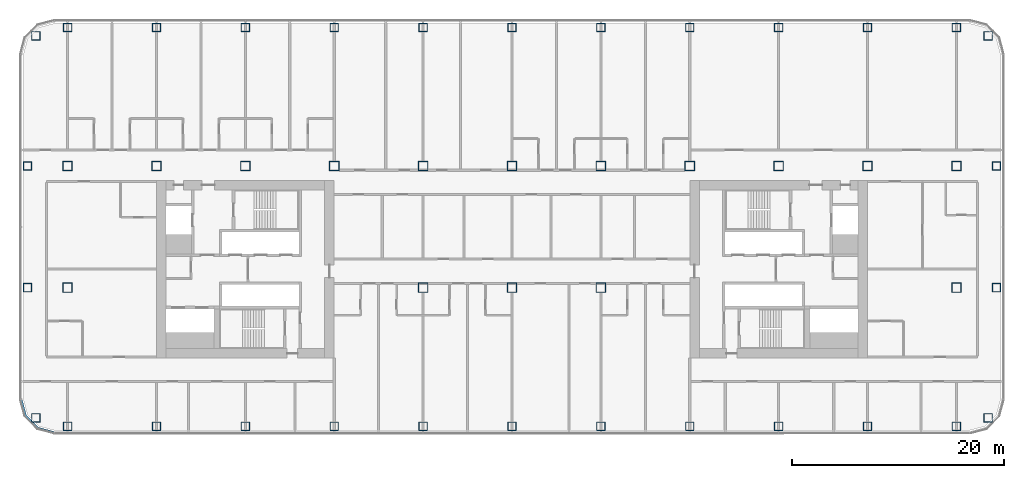
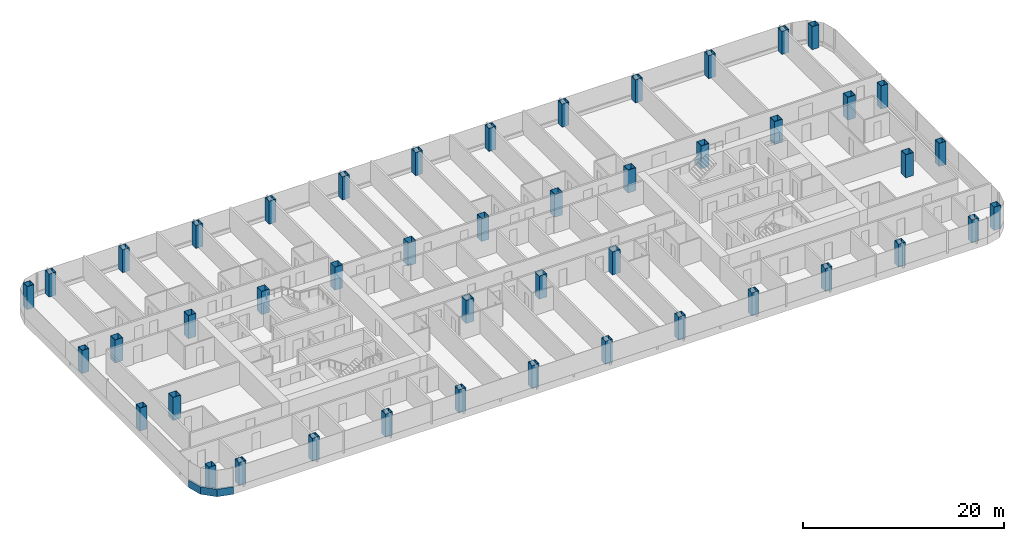
# One storey, part 1 of 29: 46 columns, 1 member, 1 element without a shape of its own.
"""IFC4 building model written with IfcOpenShell, lengths in metres."""

from ifc_helpers import new_model, si_unit, direction, frame, origin, origin_2d, place, context, subcontext, project, spatial, polyline, rectangle, hollow_rectangle, outline, extrude, material, layer, layer_set, material_profile, profile_set, type_object, element, aggregate, save


model = new_model("IFC4")

# Units and contexts
model_context = context("Model", 3, precision=1e-05, world=origin(), true_north=direction((0.0, 1.0)))
body_context = subcontext(model_context, "Body", "Model", "MODEL_VIEW")
ifc_project = project(units=[si_unit("LENGTHUNIT", "METRE"), si_unit("AREAUNIT", "SQUARE_METRE"), si_unit("VOLUMEUNIT", "CUBIC_METRE"), si_unit("PLANEANGLEUNIT", "RADIAN"), si_unit("MASSUNIT", "GRAM", prefix="KILO")], contexts=[model_context])

# Site, building, storey
site_placement = place(None, origin())
site = spatial("IfcSite", under=ifc_project, at=site_placement, CompositionType="ELEMENT")
building_placement = place(site_placement, origin())
building = spatial("IfcBuilding", under=site, at=building_placement, Name="Hakoniwa Tower and Hamabe Station Hall", CompositionType="ELEMENT")
storey_placement = place(building_placement, frame((0.0, 0.0, 110.60009765625)))
storey = spatial("IfcBuildingStorey", under=building, at=storey_placement, Name="L31", CompositionType="ELEMENT", Elevation=110.60009765625)

# Columns
ifc_material_1 = material(Name="Steel SN490C", Category="steel")
ifc_material_profile_1 = material_profile(ifc_material_1, hollow_rectangle(XDim=0.800048828125, YDim=0.800048828125, WallThickness=0.031982421875, at=origin_2d()), Name="BX-800x800x32")
ifc_profile_set_1 = profile_set([ifc_material_profile_1], Name="Steel SN490C")
column_type_1 = type_object("IfcColumnType", Name="COLUMN BX-800x800x32", PredefinedType="COLUMN", material=ifc_profile_set_1)
for number, where, z_axis, x_axis, name in (
    (1, (-45.003173828125, -14.052978515625, 0.0), (0.0, 0.0, 1.0), (1.0, 0.0, 0.0), "Column B2-EW-A2"),
    (2, (-45.800048828125, -1.75, 0.0), (0.0, 0.0, 1.0), (1.0, 0.0, 0.0), "Column B2-EW-C2"),
    (3, (-45.800048828125, 9.75, 0.0), (0.0, 0.0, 1.0), (1.0, 0.0, 0.0), "Column B2-EW-E2"),
    (4, (-45.003173828125, 22.052978515625, 0.0), (0.0, 0.0, 1.0), (1.0, 0.0, 0.0), "Column B2-EW-G2"),
    (5, (-42.0, -14.85009765625, 0.0), (0.0, 0.0, 1.0), (1.0, 0.0, 0.0), "Column B2-2-A2"),
    (6, (-42.0, 22.85009765625, 0.0), (0.0, 0.0, 1.0), (1.0, 0.0, 0.0), "Column B2-2-G2"),
    (7, (-33.60009765625, -14.85009765625, 0.0), (0.0, 0.0, 1.0), (1.0, 0.0, 0.0), "Column B2-3-A2"),
    (8, (-33.60009765625, 22.85009765625, 0.0), (0.0, 0.0, 1.0), (1.0, 0.0, 0.0), "Column B2-3-G2"),
    (9, (-25.199951171875, -14.85009765625, 0.0), (0.0, 0.0, 1.0), (1.0, 0.0, 0.0), "Column B2-4-A2"),
    (10, (-25.199951171875, 22.85009765625, 0.0), (0.0, 0.0, 1.0), (1.0, 0.0, 0.0), "Column B2-4-G2"),
    (11, (-16.800048828125, -14.85009765625, 0.0), (0.0, 0.0, 1.0), (1.0, 0.0, 0.0), "Column B2-5-A2"),
    (12, (-16.800048828125, 22.85009765625, 0.0), (0.0, 0.0, 1.0), (1.0, 0.0, 0.0), "Column B2-5-G2"),
    (13, (-8.39990234375, -14.85009765625, 0.0), (0.0, 0.0, 1.0), (1.0, 0.0, 0.0), "Column B2-6-A2"),
    (14, (-8.39990234375, 22.85009765625, 0.0), (0.0, 0.0, 1.0), (1.0, 0.0, 0.0), "Column B2-6-G2"),
    (15, (0.0, -14.85009765625, 0.0), (0.0, 0.0, 1.0), (1.0, 0.0, 0.0), "Column B2-7-A2"),
    (16, (0.0, 22.85009765625, 0.0), (0.0, 0.0, 1.0), (1.0, 0.0, 0.0), "Column B2-7-G2"),
    (17, (8.39990234375, -14.85009765625, 0.0), (0.0, 0.0, 1.0), (1.0, 0.0, 0.0), "Column B2-8-A2"),
    (18, (8.39990234375, 22.85009765625, 0.0), (0.0, 0.0, 1.0), (1.0, 0.0, 0.0), "Column B2-8-G2"),
    (19, (16.800048828125, -14.85009765625, 0.0), (0.0, 0.0, 1.0), (1.0, 0.0, 0.0), "Column B2-9-A2"),
    (20, (16.800048828125, 22.85009765625, 0.0), (0.0, 0.0, 1.0), (1.0, 0.0, 0.0), "Column B2-9-G2"),
    (21, (25.199951171875, -14.85009765625, 0.0), (0.0, 0.0, 1.0), (1.0, 0.0, 0.0), "Column B2-10-A2"),
    (22, (25.199951171875, 22.85009765625, 0.0), (0.0, 0.0, 1.0), (1.0, 0.0, 0.0), "Column B2-10-G2"),
    (23, (33.60009765625, -14.85009765625, 0.0), (0.0, 0.0, 1.0), (1.0, 0.0, 0.0), "Column B2-11-A2"),
    (24, (33.60009765625, 22.85009765625, 0.0), (0.0, 0.0, 1.0), (1.0, 0.0, 0.0), "Column B2-11-G2"),
    (25, (42.0, -14.85009765625, 0.0), (0.0, 0.0, 1.0), (1.0, 0.0, 0.0), "Column B2-12-A2"),
    (26, (42.0, 22.85009765625, 0.0), (0.0, 0.0, 1.0), (1.0, 0.0, 0.0), "Column B2-12-G2"),
    (27, (45.003173828125, -14.052978515625, 0.0), (0.0, 0.0, 1.0), (1.0, 0.0, 0.0), "Column B2-EE-A2"),
    (28, (45.800048828125, -1.75, 0.0), (0.0, 0.0, 1.0), (1.0, 0.0, 0.0), "Column B2-EE-C2"),
    (29, (45.800048828125, 9.75, 0.0), (0.0, 0.0, 1.0), (1.0, 0.0, 0.0), "Column B2-EE-E2"),
    (30, (45.003173828125, 22.052978515625, 0.0), (0.0, 0.0, 1.0), (1.0, 0.0, 0.0), "Column B2-EE-G2"),
):
    element("IfcColumn", number, at=place(storey_placement, frame(where, z_axis=z_axis, x_axis=x_axis)), inside=storey, type_object=column_type_1, Name=name, PredefinedType="COLUMN", context=body_context, shape_type="SweptSolid", body=[
        extrude(hollow_rectangle(XDim=0.800048828125, YDim=0.800048828125, WallThickness=0.031982421875, at=origin_2d()), origin(), (0.0, 0.0, 1.0), 2.7998046875),
    ])
ifc_material_2 = material(Name="Steel SN490C", Category="steel")
ifc_material_profile_2 = material_profile(ifc_material_2, hollow_rectangle(XDim=0.89990234375, YDim=0.89990234375, WallThickness=0.035888671875, at=origin_2d()), Name="BX-900x900x36")
ifc_profile_set_2 = profile_set([ifc_material_profile_2], Name="Steel SN490C")
column_type_2 = type_object("IfcColumnType", Name="COLUMN BX-900x900x36", PredefinedType="COLUMN", material=ifc_profile_set_2)
for number, where, z_axis, x_axis, name in (
    (31, (-42.0, -1.75, 0.0), (0.0, 0.0, 1.0), (1.0, 0.0, 0.0), "Column B2-2-C2"),
    (32, (-42.0, 9.75, 0.0), (0.0, 0.0, 1.0), (1.0, 0.0, 0.0), "Column B2-2-E2"),
    (33, (-33.60009765625, 9.75, 0.0), (0.0, 0.0, 1.0), (1.0, 0.0, 0.0), "Column B2-3-E2"),
    (34, (-25.199951171875, 9.75, 0.0), (0.0, 0.0, 1.0), (1.0, 0.0, 0.0), "Column B2-4-E2"),
    (35, (-16.800048828125, 9.75, 0.0), (0.0, 0.0, 1.0), (1.0, 0.0, 0.0), "Column B2-5-E2"),
    (36, (-8.39990234375, -1.75, 0.0), (0.0, 0.0, 1.0), (1.0, 0.0, 0.0), "Column B2-6-C2"),
    (37, (-8.39990234375, 9.75, 0.0), (0.0, 0.0, 1.0), (1.0, 0.0, 0.0), "Column B2-6-E2"),
    (38, (0.0, -1.75, 0.0), (0.0, 0.0, 1.0), (1.0, 0.0, 0.0), "Column B2-7-C2"),
    (39, (0.0, 9.75, 0.0), (0.0, 0.0, 1.0), (1.0, 0.0, 0.0), "Column B2-7-E2"),
    (40, (8.39990234375, -1.75, 0.0), (0.0, 0.0, 1.0), (1.0, 0.0, 0.0), "Column B2-8-C2"),
    (41, (8.39990234375, 9.75, 0.0), (0.0, 0.0, 1.0), (1.0, 0.0, 0.0), "Column B2-8-E2"),
    (42, (16.800048828125, 9.75, 0.0), (0.0, 0.0, 1.0), (1.0, 0.0, 0.0), "Column B2-9-E2"),
    (43, (25.199951171875, 9.75, 0.0), (0.0, 0.0, 1.0), (1.0, 0.0, 0.0), "Column B2-10-E2"),
    (44, (33.60009765625, 9.75, 0.0), (0.0, 0.0, 1.0), (1.0, 0.0, 0.0), "Column B2-11-E2"),
    (45, (42.0, -1.75, 0.0), (0.0, 0.0, 1.0), (1.0, 0.0, 0.0), "Column B2-12-C2"),
    (46, (42.0, 9.75, 0.0), (0.0, 0.0, 1.0), (1.0, 0.0, 0.0), "Column B2-12-E2"),
):
    element("IfcColumn", number, at=place(storey_placement, frame(where, z_axis=z_axis, x_axis=x_axis)), inside=storey, type_object=column_type_2, Name=name, PredefinedType="COLUMN", context=body_context, shape_type="SweptSolid", body=[
        extrude(hollow_rectangle(XDim=0.89990234375, YDim=0.89990234375, WallThickness=0.035888671875, at=origin_2d()), origin(), (0.0, 0.0, 1.0), 2.7998046875),
    ])

# Curtain wall, member
ifc_material_3 = material(Name="Dark low-e laminated glass", Category="glass")
ifc_layer = layer(ifc_material_3, 0.199951171875)
ifc_layer_set = layer_set([ifc_layer], Name="CW-1 UNITISED GUEST")
curtain_wall_type = type_object("IfcCurtainWallType", Name="CW-1 UNITISED GUEST", PredefinedType="NOTDEFINED", material=ifc_layer_set)
curtain_wall_placement = place(storey_placement, origin())
curtain_wall = element("IfcCurtainWall", 47, at=curtain_wall_placement, inside=storey, type_object=curtain_wall_type, Name="CW-1 curtain wall", PredefinedType="NOTDEFINED")
ifc_material_4 = material(Name="Aluminium 6063-T5 black anodised", Category="aluminium")
ifc_material_profile_3 = material_profile(ifc_material_4, rectangle(XDim=0.199951171875, YDim=0.89990234375, at=origin_2d()), Name="CW SLAB-EDGE BAND 900X200")
ifc_profile_set_3 = profile_set([ifc_material_profile_3], Name="Aluminium 6063-T5 black anodised")
member_type = type_object("IfcMemberType", Name="CW SLAB-EDGE BAND 900X200", PredefinedType="USERDEFINED", material=ifc_profile_set_3)
member_placement = place(storey_placement, frame((0.0, 0.0, -0.550048828125)))
member = element("IfcMember", 48, at=member_placement, type_object=member_type, Name="CW-1 transom", ObjectType="TRANSOM", PredefinedType="USERDEFINED", context=body_context, shape_type="SweptSolid", body=[
    extrude(outline(polyline([(-46.5, -12.28955078125), (-46.067138671875, -13.9052734375), (-44.855224609375, -15.116943359375), (-43.239501953125, -15.550048828125), (-43.187744140625, -15.35693359375), (-44.751708984375, -14.937744140625), (-45.8876953125, -13.8017578125), (-46.306884765625, -12.23779296875), (-46.5, -12.28955078125)])), origin(), (0.0, 0.0, 1.0), 0.89990234375),
])
aggregate(curtain_wall, [member])

save(model, "model.ifc")
